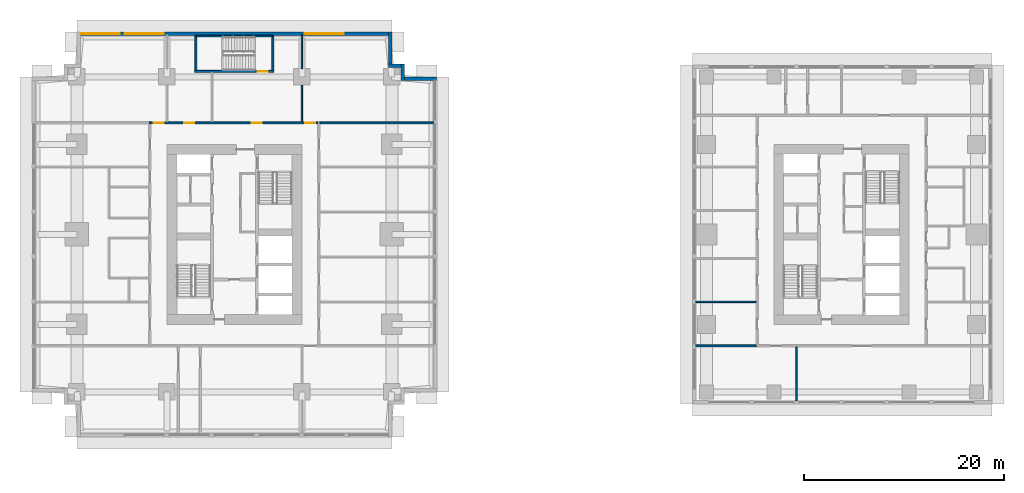
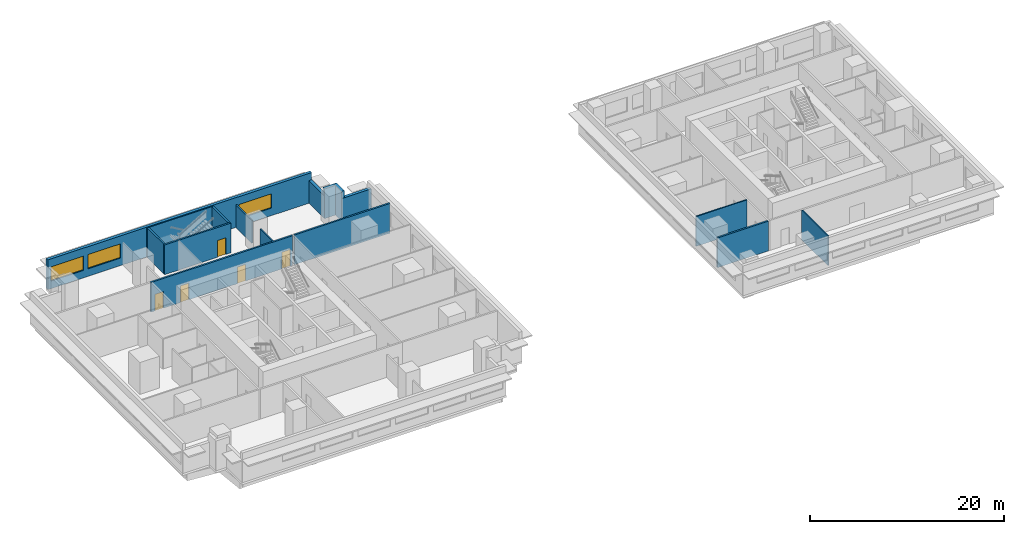
# One storey, part 5 of 11: 16 walls, 5 doors, 3 windows, 8 openings.
"""IFC4 building model written with IfcOpenShell, lengths in metres."""

from ifc_helpers import new_model, si_unit, direction, frame, frame_2d, origin, place, context, subcontext, project, spatial, rectangle, extrude, material, layer, layer_set, type_object, element, fill, save


model = new_model("IFC4")

# Units and contexts
model_context = context("Model", 3, precision=1e-05, world=origin(), true_north=direction((0.0, 1.0)))
body_context = subcontext(model_context, "Body", "Model", "MODEL_VIEW")
ifc_project = project(units=[si_unit("LENGTHUNIT", "METRE"), si_unit("AREAUNIT", "SQUARE_METRE"), si_unit("VOLUMEUNIT", "CUBIC_METRE"), si_unit("PLANEANGLEUNIT", "RADIAN"), si_unit("MASSUNIT", "GRAM", prefix="KILO")], contexts=[model_context])

# Site, building, storey
site_placement = place(None, origin())
site = spatial("IfcSite", under=ifc_project, at=site_placement, CompositionType="ELEMENT")
building_placement = place(site_placement, origin())
building = spatial("IfcBuilding", under=site, at=building_placement, Name="Namib Vertical Campus", CompositionType="ELEMENT")
storey_placement = place(building_placement, frame((0.0, 0.0, 177.0)))
storey = spatial("IfcBuildingStorey", under=building, at=storey_placement, Name="L41", CompositionType="ELEMENT", Elevation=177.0)

# Wall, openings, doors
ifc_material_1 = material(Name="Concrete masonry", Category="masonry")
ifc_layer_1 = layer(ifc_material_1, 0.199951171875)
ifc_layer_set_1 = layer_set([ifc_layer_1], Name="Corridor wall 200")
wall_type_1 = type_object("IfcWallType", Name="Corridor wall 200", PredefinedType="SOLIDWALL", material=ifc_layer_set_1)
wall_1_placement = place(storey_placement, frame((28.60009765625, 31.39990234375, 0.0), z_axis=(0.0, 0.0, 1.0), x_axis=(-1.0, 0.0, 0.0)))
wall_1 = element("IfcWall", 1, at=wall_1_placement, inside=storey, type_object=wall_type_1, Name="Corridor wall A L41 CN", PredefinedType="SOLIDWALL", context=body_context, shape_type="SweptSolid", body=[
    extrude(rectangle(XDim=16.900146484375, YDim=0.199951171875, at=frame_2d((8.4501953125, 0.0))), origin(), (0.0, 0.0, 1.0), 3.75),
])
opening_1_placement = place(wall_1_placement, frame((15.425048828125, 0.0, 0.0)))
opening_1 = element("IfcOpeningElement", 2, at=opening_1_placement, cuts=wall_1, Name="Opening CD1", PredefinedType="OPENING", context=body_context, shape_type="SweptSolid", body=[
    extrude(rectangle(XDim=1.0, YDim=2.10009765625, at=frame_2d((0.5, 1.050048828125))), frame((0.0, 0.10986328125, 0.0), z_axis=(0.0, -1.0, 0.0), x_axis=(1.0, 0.0, 0.0)), (0.0, 0.0, 1.0), 0.219970703125),
])
opening_2_placement = place(wall_1_placement, frame((12.35009765625, 0.0, 0.0)))
opening_2 = element("IfcOpeningElement", 3, at=opening_2_placement, cuts=wall_1, Name="Opening CD1", PredefinedType="OPENING", context=body_context, shape_type="SweptSolid", body=[
    extrude(rectangle(XDim=1.0, YDim=2.10009765625, at=frame_2d((0.5, 1.050048828125))), frame((0.0, 0.10986328125, 0.0), z_axis=(0.0, -1.0, 0.0), x_axis=(1.0, 0.0, 0.0)), (0.0, 0.0, 1.0), 0.219970703125),
])
opening_3_placement = place(wall_1_placement, frame((5.60009765625, 0.0, 0.0)))
opening_3 = element("IfcOpeningElement", 4, at=opening_3_placement, cuts=wall_1, Name="Opening CD4", PredefinedType="OPENING", context=body_context, shape_type="SweptSolid", body=[
    extrude(rectangle(XDim=1.0, YDim=2.10009765625, at=frame_2d((0.5, 1.050048828125))), frame((0.0, 0.10986328125, 0.0), z_axis=(0.0, -1.0, 0.0), x_axis=(1.0, 0.0, 0.0)), (0.0, 0.0, 1.0), 0.219970703125),
])
opening_4_placement = place(wall_1_placement, frame((0.27490234375, 0.0, 0.0)))
opening_4 = element("IfcOpeningElement", 5, at=opening_4_placement, cuts=wall_1, Name="Opening CD1", PredefinedType="OPENING", context=body_context, shape_type="SweptSolid", body=[
    extrude(rectangle(XDim=1.0, YDim=2.10009765625, at=frame_2d((0.5, 1.050048828125))), frame((0.0, 0.10986328125, 0.0), z_axis=(0.0, -1.0, 0.0), x_axis=(1.0, 0.0, 0.0)), (0.0, 0.0, 1.0), 0.219970703125),
])
ifc_material_2 = material(Name="Timber fire door leaf", Category="wood")
door_type_1 = type_object("IfcDoorType", Name="Corridor door 1000x2100 20 min", OperationType="SINGLE_SWING_LEFT", PredefinedType="DOOR", material=ifc_material_2)
door_1_placement = place(opening_1_placement, frame((1.0, 0.0, 0.0), z_axis=(0.0, 0.0, 1.0), x_axis=(-1.0, 0.0, 0.0)))
door_1 = element("IfcDoor", 6, at=door_1_placement, inside=storey, type_object=door_type_1, Name="Door CD1 A41-09", OperationType="SINGLE_SWING_RIGHT", OverallHeight=2.10009765625, OverallWidth=1.0, PredefinedType="DOOR", context=body_context, shape_type="SweptSolid", body=[
    extrude(rectangle(XDim=1.0, YDim=2.10009765625, at=frame_2d((0.5, 1.050048828125))), frame((0.0, 0.02490234375, 0.0), z_axis=(0.0, -1.0, 0.0), x_axis=(1.0, 0.0, 0.0)), (0.0, 0.0, 1.0), 0.050048828125),
])
fill(opening_1, door_1)
door_2_placement = place(opening_2_placement, frame((1.0, 0.0, 0.0), z_axis=(0.0, 0.0, 1.0), x_axis=(-1.0, 0.0, 0.0)))
door_2 = element("IfcDoor", 7, at=door_2_placement, inside=storey, type_object=door_type_1, Name="Door CD1 A41-10", OperationType="SINGLE_SWING_RIGHT", OverallHeight=2.10009765625, OverallWidth=1.0, PredefinedType="DOOR", context=body_context, shape_type="SweptSolid", body=[
    extrude(rectangle(XDim=1.0, YDim=2.10009765625, at=frame_2d((0.5, 1.050048828125))), frame((0.0, 0.02490234375, 0.0), z_axis=(0.0, -1.0, 0.0), x_axis=(1.0, 0.0, 0.0)), (0.0, 0.0, 1.0), 0.050048828125),
])
fill(opening_2, door_2)
door_3_placement = place(opening_4_placement, frame((1.0, 0.0, 0.0), z_axis=(0.0, 0.0, 1.0), x_axis=(-1.0, 0.0, 0.0)))
door_3 = element("IfcDoor", 8, at=door_3_placement, inside=storey, type_object=door_type_1, Name="Door CD1 A41-12", OperationType="SINGLE_SWING_LEFT", OverallHeight=2.10009765625, OverallWidth=1.0, PredefinedType="DOOR", context=body_context, shape_type="SweptSolid", body=[
    extrude(rectangle(XDim=1.0, YDim=2.10009765625, at=frame_2d((0.5, 1.050048828125))), frame((0.0, 0.02490234375, 0.0), z_axis=(0.0, -1.0, 0.0), x_axis=(1.0, 0.0, 0.0)), (0.0, 0.0, 1.0), 0.050048828125),
])
fill(opening_4, door_3)
ifc_material_3 = material(Name="Timber fire door leaf", Category="wood")
door_type_2 = type_object("IfcDoorType", Name="Corridor door 1000x2100 20 min double-acting", OperationType="DOUBLE_SWING_LEFT", PredefinedType="DOOR", material=ifc_material_3)
door_4_placement = place(opening_3_placement, origin())
door_4 = element("IfcDoor", 9, at=door_4_placement, inside=storey, type_object=door_type_2, Name="Door CD4 A41-11", OperationType="DOUBLE_SWING_LEFT", OverallHeight=2.10009765625, OverallWidth=1.0, PredefinedType="DOOR", context=body_context, shape_type="SweptSolid", body=[
    extrude(rectangle(XDim=1.0, YDim=2.10009765625, at=frame_2d((0.5, 1.050048828125))), frame((0.0, 0.02490234375, 0.0), z_axis=(0.0, -1.0, 0.0), x_axis=(1.0, 0.0, 0.0)), (0.0, 0.0, 1.0), 0.050048828125),
])
fill(opening_3, door_4)

# Walls
wall_2_placement = place(storey_placement, frame((28.800048828125, 31.39990234375, 0.0), z_axis=(0.0, 0.0, 1.0), x_axis=(1.0, 0.0, 0.0)))
element("IfcWall", 10, at=wall_2_placement, inside=storey, type_object=wall_type_1, Name="Partition A L41 BNE", PredefinedType="SOLIDWALL", context=body_context, shape_type="SweptSolid", body=[
    extrude(rectangle(XDim=11.39990234375, YDim=0.199951171875, at=frame_2d((5.699951171875, 0.0))), origin(), (0.0, 0.0, 1.0), 3.75),
])
wall_3_placement = place(storey_placement, frame((66.39990234375, 9.10009765625, 0.0), z_axis=(0.0, 0.0, 1.0), x_axis=(1.0, 0.0, 0.0)))
element("IfcWall", 11, at=wall_3_placement, inside=storey, type_object=wall_type_1, Name="Partition B L41 BSW", PredefinedType="SOLIDWALL", context=body_context, shape_type="SweptSolid", body=[
    extrude(rectangle(XDim=6.050048828125, YDim=0.199951171875, at=frame_2d((3.02490234375, 0.0))), origin(), (0.0, 0.0, 1.0), 3.75),
])
ifc_material_4 = material(Name="Concrete C40/50", Category="concrete")
ifc_layer_2 = layer(ifc_material_4, 0.35009765625)
ifc_layer_set_2 = layer_set([ifc_layer_2], Name="Concrete C40/50")
wall_type_2 = type_object("IfcWallType", Name="External wall 350 bush-hammered concrete", PredefinedType="STANDARD", material=ifc_layer_set_2)
wall_4_placement = place(storey_placement, frame((40.47998046875, 35.824951171875, 0.0), z_axis=(0.0, 0.0, 1.0), x_axis=(-1.0, 0.0, 0.0)))
element("IfcWall", 12, at=wall_4_placement, inside=storey, type_object=wall_type_2, Name="External wall L41 F07", PredefinedType="STANDARD", context=body_context, shape_type="SweptSolid", body=[
    extrude(rectangle(XDim=3.534912109375, YDim=0.35009765625, at=frame_2d((1.767578125, 0.0))), origin(), (0.0, 0.0, 1.0), 2.85009765625),
])
for number, where, z_axis, x_axis, name in (
    (13, (37.10009765625, 35.669921875, 0.0), (0.0, 0.0, 1.0), (0.0, 1.0, 0.0), "External wall L41 F08"),
    (14, (37.2548828125, 37.10009765625, 0.0), (0.0, 0.0, 1.0), (-1.0, 0.0, 0.0), "External wall L41 F09"),
):
    element("IfcWall", number, at=place(storey_placement, frame(where, z_axis=z_axis, x_axis=x_axis)), inside=storey, type_object=wall_type_2, Name=name, PredefinedType="STANDARD", context=body_context, shape_type="SweptSolid", body=[
        extrude(rectangle(XDim=1.5849609375, YDim=0.35009765625, at=frame_2d((0.79248046875, 0.0))), origin(), (0.0, 0.0, 1.0), 3.75),
    ])
wall_5_placement = place(storey_placement, frame((35.824951171875, 36.945068359375, 0.0), z_axis=(0.0, 0.0, 1.0), x_axis=(0.0, 1.0, 0.0)))
element("IfcWall", 15, at=wall_5_placement, inside=storey, type_object=wall_type_2, Name="External wall L41 F10", PredefinedType="STANDARD", context=body_context, shape_type="SweptSolid", body=[
    extrude(rectangle(XDim=3.534912109375, YDim=0.35009765625, at=frame_2d((1.767578125, 0.0))), origin(), (0.0, 0.0, 1.0), 2.85009765625),
])

# Wall, openings, windows
wall_6_placement = place(storey_placement, frame((35.97998046875, 40.324951171875, 0.0), z_axis=(0.0, 0.0, 1.0), x_axis=(-1.0, 0.0, 0.0)))
wall_6 = element("IfcWall", 16, at=wall_6_placement, inside=storey, type_object=wall_type_2, Name="External wall L41 F11", PredefinedType="STANDARD", context=body_context, shape_type="SweptSolid", body=[
    extrude(rectangle(XDim=31.4599609375, YDim=0.35009765625, at=frame_2d((15.72998046875, 0.0))), origin(), (0.0, 0.0, 1.0), 3.75),
])
opening_5_placement = place(wall_6_placement, frame((27.2099609375, 0.0, 0.949951171875)))
opening_5 = element("IfcOpeningElement", 17, at=opening_5_placement, cuts=wall_6, Name="Opening W3", PredefinedType="OPENING", context=body_context, shape_type="SweptSolid", body=[
    extrude(rectangle(XDim=3.89990234375, YDim=1.800048828125, at=frame_2d((1.949951171875, 0.89990234375))), frame((0.0, 0.18505859375, 0.0), z_axis=(0.0, -1.0, 0.0), x_axis=(1.0, 0.0, 0.0)), (0.0, 0.0, 1.0), 0.3701171875),
])
opening_6_placement = place(wall_6_placement, frame((22.780029296875, 0.0, 0.949951171875)))
opening_6 = element("IfcOpeningElement", 18, at=opening_6_placement, cuts=wall_6, Name="Opening W3", PredefinedType="OPENING", context=body_context, shape_type="SweptSolid", body=[
    extrude(rectangle(XDim=3.89990234375, YDim=1.800048828125, at=frame_2d((1.949951171875, 0.89990234375))), frame((0.0, 0.18505859375, 0.0), z_axis=(0.0, -1.0, 0.0), x_axis=(1.0, 0.0, 0.0)), (0.0, 0.0, 1.0), 0.3701171875),
])
opening_7_placement = place(wall_6_placement, frame((4.780029296875, 0.0, 0.949951171875)))
opening_7 = element("IfcOpeningElement", 19, at=opening_7_placement, cuts=wall_6, Name="Opening W3", PredefinedType="OPENING", context=body_context, shape_type="SweptSolid", body=[
    extrude(rectangle(XDim=3.89990234375, YDim=1.800048828125, at=frame_2d((1.949951171875, 0.89990234375))), frame((0.0, 0.18505859375, 0.0), z_axis=(0.0, -1.0, 0.0), x_axis=(1.0, 0.0, 0.0)), (0.0, 0.0, 1.0), 0.3701171875),
])
ifc_material_5 = material(Name="Dark tinted glass in black aluminium frame", Category="aluminium")
window_type = type_object("IfcWindowType", Name="Ribbon window 3900x1800", PartitioningType="SINGLE_PANEL", PredefinedType="WINDOW", material=ifc_material_5)
window_1_placement = place(opening_5_placement, origin())
window_1 = element("IfcWindow", 20, at=window_1_placement, inside=storey, type_object=window_type, Name="Window W3 L41 F11-1", OverallHeight=1.800048828125, OverallWidth=3.89990234375, PartitioningType="SINGLE_PANEL", PredefinedType="WINDOW", context=body_context, shape_type="SweptSolid", body=[
    extrude(rectangle(XDim=3.89990234375, YDim=1.800048828125, at=frame_2d((1.949951171875, 0.89990234375))), frame((0.0, 0.030029296875, 0.0), z_axis=(0.0, -1.0, 0.0), x_axis=(1.0, 0.0, 0.0)), (0.0, 0.0, 1.0), 0.06005859375),
])
fill(opening_5, window_1)
window_2_placement = place(opening_6_placement, origin())
window_2 = element("IfcWindow", 21, at=window_2_placement, inside=storey, type_object=window_type, Name="Window W3 L41 F11-2", OverallHeight=1.800048828125, OverallWidth=3.89990234375, PartitioningType="SINGLE_PANEL", PredefinedType="WINDOW", context=body_context, shape_type="SweptSolid", body=[
    extrude(rectangle(XDim=3.89990234375, YDim=1.800048828125, at=frame_2d((1.949951171875, 0.89990234375))), frame((0.0, 0.030029296875, 0.0), z_axis=(0.0, -1.0, 0.0), x_axis=(1.0, 0.0, 0.0)), (0.0, 0.0, 1.0), 0.06005859375),
])
fill(opening_6, window_2)
window_3_placement = place(opening_7_placement, origin())
window_3 = element("IfcWindow", 22, at=window_3_placement, inside=storey, type_object=window_type, Name="Window W3 L41 F11-6", OverallHeight=1.800048828125, OverallWidth=3.89990234375, PartitioningType="SINGLE_PANEL", PredefinedType="WINDOW", context=body_context, shape_type="SweptSolid", body=[
    extrude(rectangle(XDim=3.89990234375, YDim=1.800048828125, at=frame_2d((1.949951171875, 0.89990234375))), frame((0.0, 0.030029296875, 0.0), z_axis=(0.0, -1.0, 0.0), x_axis=(1.0, 0.0, 0.0)), (0.0, 0.0, 1.0), 0.06005859375),
])
fill(opening_7, window_3)

# Walls
ifc_material_6 = material(Name="Gypsum board on steel studs", Category="steel")
ifc_layer_3 = layer(ifc_material_6, 0.14990234375)
ifc_layer_set_3 = layer_set([ifc_layer_3], Name="Gypsum board on steel studs")
wall_type_3 = type_object("IfcWallType", Name="Partition 150", PredefinedType="PARTITIONING", material=ifc_layer_set_3)
wall_7_placement = place(storey_placement, frame((27.0, 31.5, 0.0), z_axis=(0.0, 0.0, 1.0), x_axis=(0.0, 1.0, 0.0)))
element("IfcWall", 23, at=wall_7_placement, inside=storey, type_object=wall_type_3, Name="Partition A L41 PN3", PredefinedType="PARTITIONING", context=body_context, shape_type="SweptSolid", body=[
    extrude(rectangle(XDim=3.655029296875, YDim=0.14990234375, at=frame_2d((1.82763671875, 0.0))), origin(), (0.0, 0.0, 1.0), 2.85009765625),
])
wall_8_placement = place(storey_placement, frame((27.0, 36.844970703125, 0.0), z_axis=(0.0, 0.0, 1.0), x_axis=(0.0, 1.0, 0.0)))
element("IfcWall", 24, at=wall_8_placement, inside=storey, type_object=wall_type_3, Name="Partition A L41 PN3", PredefinedType="PARTITIONING", context=body_context, shape_type="SweptSolid", body=[
    extrude(rectangle(XDim=3.35498046875, YDim=0.14990234375, at=frame_2d((1.677490234375, 0.0))), origin(), (0.0, 0.0, 1.0), 2.85009765625),
])
wall_9_placement = place(storey_placement, frame((76.5, 3.60009765625, 0.0), z_axis=(0.0, 0.0, 1.0), x_axis=(0.0, 1.0, 0.0)))
element("IfcWall", 25, at=wall_9_placement, inside=storey, type_object=wall_type_3, Name="Partition B L41 PS1", PredefinedType="PARTITIONING", context=body_context, shape_type="SweptSolid", body=[
    extrude(rectangle(XDim=5.39990234375, YDim=0.14990234375, at=frame_2d((2.699951171875, 0.0))), origin(), (0.0, 0.0, 1.0), 3.75),
])
wall_10_placement = place(storey_placement, frame((66.39990234375, 13.5, 0.0), z_axis=(0.0, 0.0, 1.0), x_axis=(1.0, 0.0, 0.0)))
element("IfcWall", 26, at=wall_10_placement, inside=storey, type_object=wall_type_3, Name="Partition B L41 PW1", PredefinedType="PARTITIONING", context=body_context, shape_type="SweptSolid", body=[
    extrude(rectangle(XDim=6.050048828125, YDim=0.14990234375, at=frame_2d((3.02490234375, 0.0))), origin(), (0.0, 0.0, 1.0), 3.75),
])
ifc_material_7 = material(Name="Concrete C40/50", Category="concrete")
ifc_layer_4 = layer(ifc_material_7, 0.14990234375)
ifc_layer_set_4 = layer_set([ifc_layer_4], Name="Concrete C40/50")
wall_type_4 = type_object("IfcWallType", Name="Stair enclosure wall RC 150", PredefinedType="SOLIDWALL", material=ifc_layer_set_4)
wall_11_placement = place(storey_placement, frame((16.300048828125, 40.074951171875, 0.0), z_axis=(0.0, 0.0, 1.0), x_axis=(1.0, 0.0, 0.0)))
element("IfcWall", 27, at=wall_11_placement, inside=storey, type_object=wall_type_4, Name="Stair enclosure wall A-S3 L41 N", PredefinedType="SOLIDWALL", context=body_context, shape_type="SweptSolid", body=[
    extrude(rectangle(XDim=7.89990234375, YDim=0.14990234375, at=frame_2d((3.949951171875, 0.0))), origin(), (0.0, 0.0, 1.0), 3.75),
])

# Wall, opening, door
ifc_material_8 = material(Name="Concrete C40/50", Category="concrete")
ifc_layer_5 = layer(ifc_material_8, 0.199951171875)
ifc_layer_set_5 = layer_set([ifc_layer_5], Name="Concrete C40/50")
wall_type_5 = type_object("IfcWallType", Name="Stair enclosure wall RC 200", PredefinedType="SOLIDWALL", material=ifc_layer_set_5)
wall_12_placement = place(storey_placement, frame((16.300048828125, 36.550048828125, 0.0), z_axis=(0.0, 0.0, 1.0), x_axis=(1.0, 0.0, 0.0)))
wall_12 = element("IfcWall", 28, at=wall_12_placement, inside=storey, type_object=wall_type_5, Name="Stair enclosure wall A-S3 L41 S", PredefinedType="SOLIDWALL", context=body_context, shape_type="SweptSolid", body=[
    extrude(rectangle(XDim=7.89990234375, YDim=0.199951171875, at=frame_2d((3.949951171875, 0.0))), origin(), (0.0, 0.0, 1.0), 3.75),
])
opening_8_placement = place(wall_12_placement, frame((6.300048828125, 0.0, 0.0)))
opening_8 = element("IfcOpeningElement", 29, at=opening_8_placement, cuts=wall_12, Name="Opening FD1", PredefinedType="OPENING", context=body_context, shape_type="SweptSolid", body=[
    extrude(rectangle(XDim=1.0, YDim=2.10009765625, at=frame_2d((0.5, 1.050048828125))), frame((0.0, 0.10986328125, 0.0), z_axis=(0.0, -1.0, 0.0), x_axis=(1.0, 0.0, 0.0)), (0.0, 0.0, 1.0), 0.219970703125),
])
ifc_material_9 = material(Name="Steel fire door", Category="steel")
door_type_3 = type_object("IfcDoorType", Name="Fire door 1000x2100", OperationType="SINGLE_SWING_RIGHT", PredefinedType="DOOR", material=ifc_material_9)
door_5_placement = place(opening_8_placement, origin())
door_5 = element("IfcDoor", 30, at=door_5_placement, inside=storey, type_object=door_type_3, Name="Stair door FD1 A L41 S3", OperationType="SINGLE_SWING_RIGHT", OverallHeight=2.10009765625, OverallWidth=1.0, PredefinedType="DOOR", context=body_context, shape_type="SweptSolid", body=[
    extrude(rectangle(XDim=1.0, YDim=2.10009765625, at=frame_2d((0.5, 1.050048828125))), frame((0.0, 0.02490234375, 0.0), z_axis=(0.0, -1.0, 0.0), x_axis=(1.0, 0.0, 0.0)), (0.0, 0.0, 1.0), 0.050048828125),
])
fill(opening_8, door_5)

# Walls
for number, where, z_axis, x_axis, name in (
    (31, (16.39990234375, 36.64990234375, 0.0), (0.0, 0.0, 1.0), (0.0, 1.0, 0.0), "Stair enclosure wall A-S3 L41 W"),
    (32, (24.10009765625, 36.64990234375, 0.0), (0.0, 0.0, 1.0), (0.0, 1.0, 0.0), "Stair enclosure wall A-S3 L41 E"),
):
    element("IfcWall", number, at=place(storey_placement, frame(where, z_axis=z_axis, x_axis=x_axis)), inside=storey, type_object=wall_type_5, Name=name, PredefinedType="SOLIDWALL", context=body_context, shape_type="SweptSolid", body=[
        extrude(rectangle(XDim=3.35009765625, YDim=0.199951171875, at=frame_2d((1.675048828125, 0.0))), origin(), (0.0, 0.0, 1.0), 3.75),
    ])

save(model, "model.ifc")
